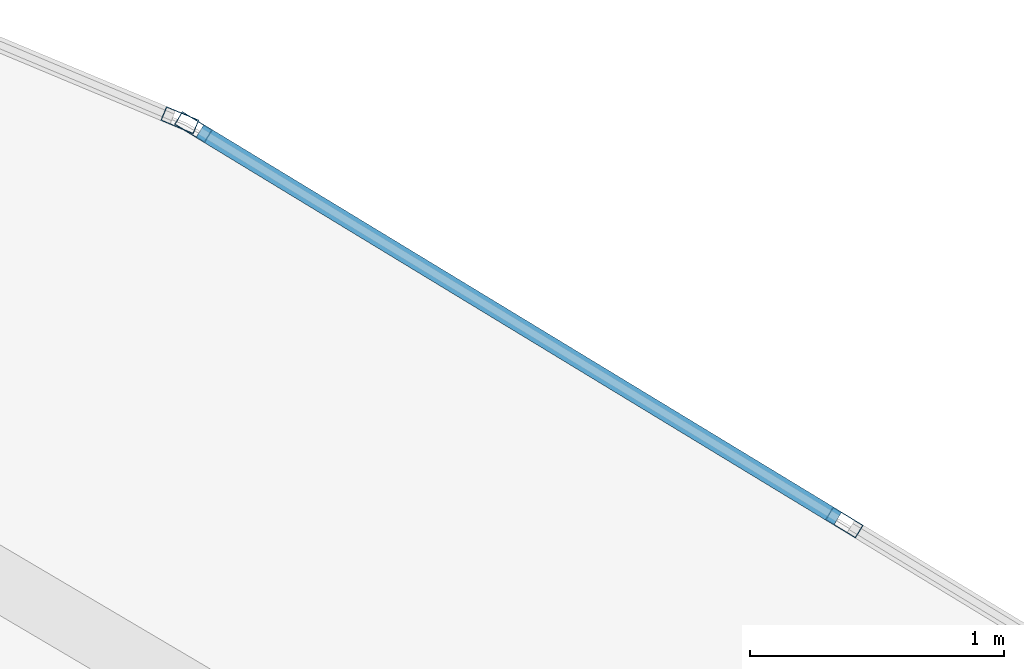
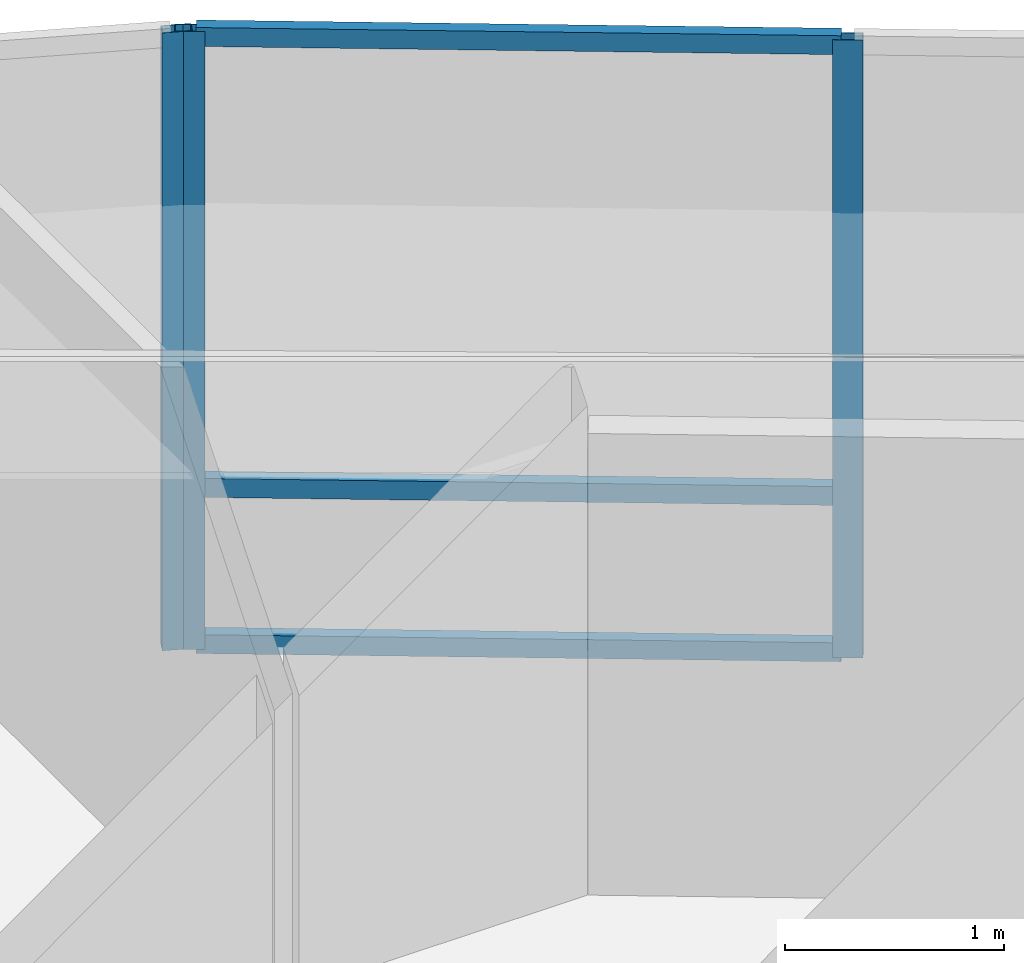
# One storey, part 6 of 14: 6 members, 2 elements without a shape of their own.
"""IFC4 building model written with IfcOpenShell, lengths in metres."""

from ifc_helpers import new_model, si_unit, direction, frame, origin, origin_2d, place, context, subcontext, project, spatial, hollow_rectangle, extrude, material, layer, layer_set, material_profile, profile_set, type_object, element, aggregate, save


model = new_model("IFC4")

# Units and contexts
model_context = context("Model", 3, precision=1e-05, world=origin(), true_north=direction((0.0, 1.0)))
body_context = subcontext(model_context, "Body", "Model", "MODEL_VIEW")
ifc_project = project(units=[si_unit("LENGTHUNIT", "METRE"), si_unit("AREAUNIT", "SQUARE_METRE"), si_unit("VOLUMEUNIT", "CUBIC_METRE"), si_unit("PLANEANGLEUNIT", "RADIAN"), si_unit("MASSUNIT", "GRAM", prefix="KILO")], contexts=[model_context])

# Site, building, storey
site_placement = place(None, origin())
site = spatial("IfcSite", under=ifc_project, at=site_placement, CompositionType="ELEMENT")
building_placement = place(site_placement, origin())
building = spatial("IfcBuilding", under=site, at=building_placement, Name="Menara Vayukalpa", CompositionType="ELEMENT")
storey_placement = place(building_placement, frame((0.0, 0.0, 191.52001953125)))
storey = spatial("IfcBuildingStorey", under=building, at=storey_placement, Name="L48", CompositionType="ELEMENT", Elevation=191.52001953125)

# Curtain wall, members
ifc_material_1 = material(Name="Anodised Terracotta Aluminium Alloy 6063-T6", Category="masonry")
ifc_layer = layer(ifc_material_1, 0.139892578125)
ifc_layer_set = layer_set([ifc_layer], Name="Anodised Terracotta Aluminium Alloy 6063-T6")
curtain_wall_type = type_object("IfcCurtainWallType", Name="CW-CW5", PredefinedType="USERDEFINED", material=ifc_layer_set)
curtain_wall_1_placement = place(storey_placement, origin())
curtain_wall_1 = element("IfcCurtainWall", 1, at=curtain_wall_1_placement, inside=storey, type_object=curtain_wall_type, Name="L48 High Rise Tapered Curtain Wall CW5 04", ObjectType="UNITISED", PredefinedType="USERDEFINED")
ifc_material_2 = material(Name="Anodised Terracotta Aluminium Alloy 6063-T6", Category="masonry")
ifc_material_profile_1 = material_profile(ifc_material_2, hollow_rectangle(XDim=0.06005859375, YDim=0.139892578125, WallThickness=0.00341796875, at=origin_2d()), Name="ALU 60x140x3.5")
ifc_profile_set_1 = profile_set([ifc_material_profile_1], Name="Anodised Terracotta Aluminium Alloy 6063-T6")
member_type_1 = type_object("IfcMemberType", Name="CWM-CW5", PredefinedType="MULLION", material=ifc_profile_set_1)
member_1_placement = place(storey_placement, frame((32.075439453125, 29.773681640625, 0.0), z_axis=(0.0, 0.0, 1.0), x_axis=(-0.519179911779, -0.854664974832, 0.0)))
member_1 = element("IfcMember", 2, at=member_1_placement, type_object=member_type_1, Name="CW5 mullion 2", PredefinedType="MULLION", context=body_context, shape_type="SweptSolid", body=[
    extrude(hollow_rectangle(XDim=0.06005859375, YDim=0.139892578125, WallThickness=0.00341796875, at=origin_2d()), origin(), (0.0, 0.0, 1.0), 3.43994140625),
])
member_2_placement = place(storey_placement, frame((29.509521484375, 31.33251953125, 0.0), z_axis=(0.0, 0.0, 1.0), x_axis=(-0.519179911779, -0.854664974832, 0.0)))
member_2 = element("IfcMember", 3, at=member_2_placement, type_object=member_type_1, Name="CW5 mullion 3", PredefinedType="MULLION", context=body_context, shape_type="SweptSolid", body=[
    extrude(hollow_rectangle(XDim=0.06005859375, YDim=0.139892578125, WallThickness=0.00341796875, at=origin_2d()), origin(), (0.0, 0.0, 1.0), 3.43994140625),
])

# Curtain wall, member
curtain_wall_2_placement = place(storey_placement, origin())
curtain_wall_2 = element("IfcCurtainWall", 4, at=curtain_wall_2_placement, inside=storey, type_object=curtain_wall_type, Name="L48 High Rise Tapered Curtain Wall CW5 05", ObjectType="UNITISED", PredefinedType="USERDEFINED")
member_3_placement = place(storey_placement, frame((29.4560546875, 31.359619140625, 0.0), z_axis=(0.0, 0.0, 1.0), x_axis=(-0.385902834406, -0.922539431351, 0.0)))
member_3 = element("IfcMember", 5, at=member_3_placement, type_object=member_type_1, Name="CW5 mullion 1", PredefinedType="MULLION", context=body_context, shape_type="SweptSolid", body=[
    extrude(hollow_rectangle(XDim=0.06005859375, YDim=0.139892578125, WallThickness=0.00341796875, at=origin_2d()), origin(), (0.0, 0.0, 1.0), 3.43994140625),
])
aggregate(curtain_wall_2, [member_3])

# Member
ifc_material_3 = material(Name="Anodised Terracotta Aluminium Alloy 6063-T6", Category="masonry")
ifc_material_profile_2 = material_profile(ifc_material_3, hollow_rectangle(XDim=0.06005859375, YDim=0.10498046875, WallThickness=0.0029296875, at=origin_2d()), Name="ALU 60x105x3")
ifc_profile_set_2 = profile_set([ifc_material_profile_2], Name="Anodised Terracotta Aluminium Alloy 6063-T6")
member_type_2 = type_object("IfcMemberType", Name="CWT-CW5", PredefinedType="USERDEFINED", material=ifc_profile_set_2)
member_4_placement = place(storey_placement, frame((32.0498046875, 29.789306640625, 0.030029296875), z_axis=(-0.85466128475, 0.51918598628, 0.0), x_axis=(-0.51918598628, -0.85466128475, 0.0)))
member_4 = element("IfcMember", 6, at=member_4_placement, type_object=member_type_2, Name="CW5 transom 2.1", ObjectType="TRANSOM", PredefinedType="USERDEFINED", context=body_context, shape_type="SweptSolid", body=[
    extrude(hollow_rectangle(XDim=0.06005859375, YDim=0.10498046875, WallThickness=0.0029296875, at=origin_2d()), origin(), (0.0, 0.0, 1.0), 2.9423828125),
])

member_5_placement = place(storey_placement, frame((32.0498046875, 29.789306640625, 0.89990234375), z_axis=(-0.85466128475, 0.51918598628, 0.0), x_axis=(-0.51918598628, -0.85466128475, 0.0)))
member_5 = element("IfcMember", 7, at=member_5_placement, type_object=member_type_2, Name="CW5 transom 2.2", ObjectType="TRANSOM", PredefinedType="USERDEFINED", context=body_context, shape_type="SweptSolid", body=[
    extrude(hollow_rectangle(XDim=0.06005859375, YDim=0.10498046875, WallThickness=0.0029296875, at=origin_2d()), origin(), (0.0, 0.0, 1.0), 2.9423828125),
])

member_6_placement = place(storey_placement, frame((32.0498046875, 29.789306640625, 3.409912109375), z_axis=(-0.85466128475, 0.51918598628, 0.0), x_axis=(-0.51918598628, -0.85466128475, 0.0)))
member_6 = element("IfcMember", 8, at=member_6_placement, type_object=member_type_2, Name="CW5 transom 2.3", ObjectType="TRANSOM", PredefinedType="USERDEFINED", context=body_context, shape_type="SweptSolid", body=[
    extrude(hollow_rectangle(XDim=0.06005859375, YDim=0.10498046875, WallThickness=0.0029296875, at=origin_2d()), origin(), (0.0, 0.0, 1.0), 2.9423828125),
])

aggregate(curtain_wall_1, [member_1, member_2, member_4, member_5, member_6])

save(model, "model.ifc")
